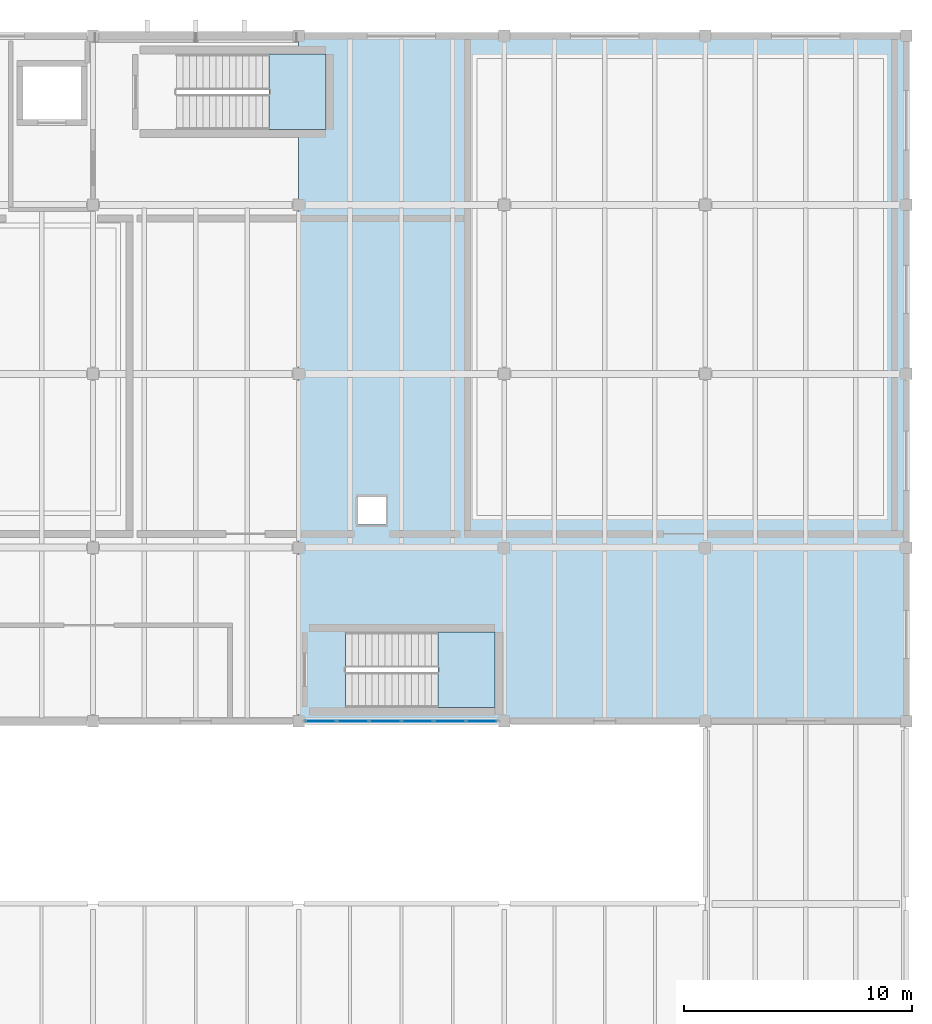
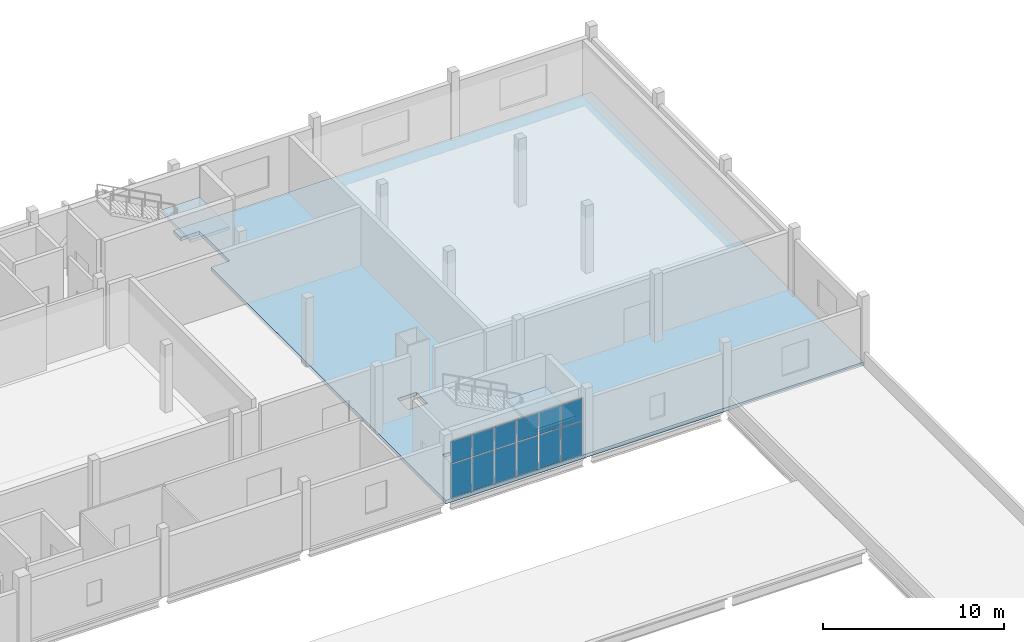
# One storey, part 54 of 74: 12 plates, 3 slabs, 3 elements without a shape of their own.
"""IFC4 building model written with IfcOpenShell, lengths in metres."""

from ifc_helpers import new_model, si_unit, direction, frame, origin, origin_2d, place, context, subcontext, project, spatial, polyline, rectangle, outline, extrude, material, layer, layer_set, type_object, element, aggregate, save


model = new_model("IFC4")

# Units and contexts
model_context = context("Model", 3, precision=1e-05, world=origin(), true_north=direction((0.0, 1.0)))
body_context = subcontext(model_context, "Body", "Model", "MODEL_VIEW")
ifc_project = project(units=[si_unit("LENGTHUNIT", "METRE"), si_unit("AREAUNIT", "SQUARE_METRE"), si_unit("VOLUMEUNIT", "CUBIC_METRE"), si_unit("PLANEANGLEUNIT", "RADIAN"), si_unit("MASSUNIT", "GRAM", prefix="KILO")], contexts=[model_context])

# Site, building, storey
site_placement = place(None, origin())
site = spatial("IfcSite", under=ifc_project, at=site_placement, CompositionType="ELEMENT")
building_placement = place(site_placement, origin())
building = spatial("IfcBuilding", under=site, at=building_placement, Name="Shengluoqiao Park Theatre", CompositionType="ELEMENT")
storey_placement = place(building_placement, frame((0.0, 0.0, 14.60009765625)))
storey = spatial("IfcBuildingStorey", under=building, at=storey_placement, Name="L03", CompositionType="ELEMENT", Elevation=14.60009765625)

# Curtain wall, plates
ifc_material_1 = material(Name="Aluminium 6063-T6", Category="aluminium")
curtain_wall_type = type_object("IfcCurtainWallType", Name="ENV-CW-CLERE", PredefinedType="NOTDEFINED", material=ifc_material_1)
curtain_wall_placement = place(storey_placement, origin())
curtain_wall = element("IfcCurtainWall", 1, at=curtain_wall_placement, inside=storey, type_object=curtain_wall_type, Name="L03 Curtain Wall CWX-L03-0200", PredefinedType="NOTDEFINED")
ifc_material_2 = material(Name="Insulated glass", Category="glass")
ifc_layer_1 = layer(ifc_material_2, 0.0380859375, Name="Insulated glass")
ifc_layer_set_1 = layer_set([ifc_layer_1], Name="Insulated glass")
plate_type = type_object("IfcPlateType", Name="ENV-GLZ-GL-38", PredefinedType="CURTAIN_PANEL", material=ifc_layer_set_1)
plate_1_placement = place(storey_placement, frame((140.376708984375, 84.0, 0.059814453125), z_axis=(0.0, 0.0, 1.0), x_axis=(1.0, 0.0, 0.0)))
plate_1 = element("IfcPlate", 2, at=plate_1_placement, type_object=plate_type, Name="CW-06 panel 1.1", PredefinedType="CURTAIN_PANEL", context=body_context, shape_type="SweptSolid", body=[
    extrude(rectangle(XDim=1.325439453125, YDim=0.0380859375, at=origin_2d()), origin(), (0.0, 0.0, 1.0), 2.2490234375),
])
plate_2_placement = place(storey_placement, frame((140.376708984375, 84.0, 2.369140625), z_axis=(0.0, 0.0, 1.0), x_axis=(1.0, 0.0, 0.0)))
plate_2 = element("IfcPlate", 3, at=plate_2_placement, type_object=plate_type, Name="CW-06 panel 1.2", PredefinedType="CURTAIN_PANEL", context=body_context, shape_type="SweptSolid", body=[
    extrude(rectangle(XDim=1.325439453125, YDim=0.0380859375, at=origin_2d()), origin(), (0.0, 0.0, 1.0), 1.468994140625),
])
plate_3_placement = place(storey_placement, frame((141.777099609375, 84.0, 0.059814453125), z_axis=(0.0, 0.0, 1.0), x_axis=(1.0, 0.0, 0.0)))
plate_3 = element("IfcPlate", 4, at=plate_3_placement, type_object=plate_type, Name="CW-06 panel 2.1", PredefinedType="CURTAIN_PANEL", context=body_context, shape_type="SweptSolid", body=[
    extrude(rectangle(XDim=1.355224609375, YDim=0.0380859375, at=origin_2d()), origin(), (0.0, 0.0, 1.0), 2.2490234375),
])
plate_4_placement = place(storey_placement, frame((141.777099609375, 84.0, 2.369140625), z_axis=(0.0, 0.0, 1.0), x_axis=(1.0, 0.0, 0.0)))
plate_4 = element("IfcPlate", 5, at=plate_4_placement, type_object=plate_type, Name="CW-06 panel 2.2", PredefinedType="CURTAIN_PANEL", context=body_context, shape_type="SweptSolid", body=[
    extrude(rectangle(XDim=1.355224609375, YDim=0.0380859375, at=origin_2d()), origin(), (0.0, 0.0, 1.0), 1.468994140625),
])
plate_5_placement = place(storey_placement, frame((143.1923828125, 84.0, 0.059814453125), z_axis=(0.0, 0.0, 1.0), x_axis=(1.0, 0.0, 0.0)))
plate_5 = element("IfcPlate", 6, at=plate_5_placement, type_object=plate_type, Name="CW-06 panel 3.1", PredefinedType="CURTAIN_PANEL", context=body_context, shape_type="SweptSolid", body=[
    extrude(rectangle(XDim=1.355224609375, YDim=0.0380859375, at=origin_2d()), origin(), (0.0, 0.0, 1.0), 2.2490234375),
])
plate_6_placement = place(storey_placement, frame((143.1923828125, 84.0, 2.369140625), z_axis=(0.0, 0.0, 1.0), x_axis=(1.0, 0.0, 0.0)))
plate_6 = element("IfcPlate", 7, at=plate_6_placement, type_object=plate_type, Name="CW-06 panel 3.2", PredefinedType="CURTAIN_PANEL", context=body_context, shape_type="SweptSolid", body=[
    extrude(rectangle(XDim=1.355224609375, YDim=0.0380859375, at=origin_2d()), origin(), (0.0, 0.0, 1.0), 1.468994140625),
])
plate_7_placement = place(storey_placement, frame((144.607666015625, 84.0, 0.059814453125), z_axis=(0.0, 0.0, 1.0), x_axis=(1.0, 0.0, 0.0)))
plate_7 = element("IfcPlate", 8, at=plate_7_placement, type_object=plate_type, Name="CW-06 panel 4.1", PredefinedType="CURTAIN_PANEL", context=body_context, shape_type="SweptSolid", body=[
    extrude(rectangle(XDim=1.355224609375, YDim=0.0380859375, at=origin_2d()), origin(), (0.0, 0.0, 1.0), 2.2490234375),
])
plate_8_placement = place(storey_placement, frame((144.607666015625, 84.0, 2.369140625), z_axis=(0.0, 0.0, 1.0), x_axis=(1.0, 0.0, 0.0)))
plate_8 = element("IfcPlate", 9, at=plate_8_placement, type_object=plate_type, Name="CW-06 panel 4.2", PredefinedType="CURTAIN_PANEL", context=body_context, shape_type="SweptSolid", body=[
    extrude(rectangle(XDim=1.355224609375, YDim=0.0380859375, at=origin_2d()), origin(), (0.0, 0.0, 1.0), 1.468994140625),
])
plate_9_placement = place(storey_placement, frame((146.02294921875, 84.0, 0.059814453125), z_axis=(0.0, 0.0, 1.0), x_axis=(1.0, 0.0, 0.0)))
plate_9 = element("IfcPlate", 10, at=plate_9_placement, type_object=plate_type, Name="CW-06 panel 5.1", PredefinedType="CURTAIN_PANEL", context=body_context, shape_type="SweptSolid", body=[
    extrude(rectangle(XDim=1.355224609375, YDim=0.0380859375, at=origin_2d()), origin(), (0.0, 0.0, 1.0), 2.2490234375),
])
plate_10_placement = place(storey_placement, frame((146.02294921875, 84.0, 2.369140625), z_axis=(0.0, 0.0, 1.0), x_axis=(1.0, 0.0, 0.0)))
plate_10 = element("IfcPlate", 11, at=plate_10_placement, type_object=plate_type, Name="CW-06 panel 5.2", PredefinedType="CURTAIN_PANEL", context=body_context, shape_type="SweptSolid", body=[
    extrude(rectangle(XDim=1.355224609375, YDim=0.0380859375, at=origin_2d()), origin(), (0.0, 0.0, 1.0), 1.468994140625),
])
plate_11_placement = place(storey_placement, frame((147.42333984375, 84.0, 0.059814453125), z_axis=(0.0, 0.0, 1.0), x_axis=(1.0, 0.0, 0.0)))
plate_11 = element("IfcPlate", 12, at=plate_11_placement, type_object=plate_type, Name="CW-06 panel 6.1", PredefinedType="CURTAIN_PANEL", context=body_context, shape_type="SweptSolid", body=[
    extrude(rectangle(XDim=1.325439453125, YDim=0.0380859375, at=origin_2d()), origin(), (0.0, 0.0, 1.0), 2.2490234375),
])
plate_12_placement = place(storey_placement, frame((147.42333984375, 84.0, 2.369140625), z_axis=(0.0, 0.0, 1.0), x_axis=(1.0, 0.0, 0.0)))
plate_12 = element("IfcPlate", 13, at=plate_12_placement, type_object=plate_type, Name="CW-06 panel 6.2", PredefinedType="CURTAIN_PANEL", context=body_context, shape_type="SweptSolid", body=[
    extrude(rectangle(XDim=1.325439453125, YDim=0.0380859375, at=origin_2d()), origin(), (0.0, 0.0, 1.0), 1.468994140625),
])
aggregate(curtain_wall, [plate_1, plate_2, plate_3, plate_4, plate_5, plate_6, plate_7, plate_8, plate_9, plate_10, plate_11, plate_12])

# Stair, slab
ifc_material_3 = material(Name="Concrete C40", Category="concrete")
stair_type = type_object("IfcStairType", Name="INT-STR-CORE", PredefinedType="HALF_TURN_STAIR", material=ifc_material_3)
stair_1_placement = place(storey_placement, origin())
stair_1 = element("IfcStair", 14, at=stair_1_placement, inside=storey, type_object=stair_type, Name="L03 Backstage and Workshop Escape Stair 06", PredefinedType="HALF_TURN_STAIR")
ifc_layer_2 = layer(ifc_material_3, 0.169921875, Name="Concrete C40")
ifc_layer_set_2 = layer_set([ifc_layer_2], Name="Concrete C40")
slab_type_1 = type_object("IfcSlabType", Name="INT-LND-SL-170", PredefinedType="LANDING", material=ifc_layer_set_2)
slab_1_placement = place(storey_placement, frame((0.0, 0.0, 2.099853515625)))
slab_1 = element("IfcSlab", 15, at=slab_1_placement, type_object=slab_type_1, Name="ST-06 landing 1", PredefinedType="LANDING", context=body_context, shape_type="SweptSolid", body=[
    extrude(outline(polyline([(138.110107421875, 109.89990234375), (140.60009765625, 109.89990234375), (140.60009765625, 113.199951171875), (138.110107421875, 113.199951171875), (138.110107421875, 109.89990234375)])), origin(), (0.0, 0.0, 1.0), 0.199951171875),
])
aggregate(stair_1, [slab_1])

stair_2_placement = place(storey_placement, origin())
stair_2 = element("IfcStair", 16, at=stair_2_placement, inside=storey, type_object=stair_type, Name="L03 Upper Backstage Escape Stair 10", PredefinedType="HALF_TURN_STAIR")
ifc_layer_3 = layer(ifc_material_3, 0.199951171875, Name="Concrete C40")
ifc_layer_set_3 = layer_set([ifc_layer_3], Name="Concrete C40")
slab_type_2 = type_object("IfcSlabType", Name="INT-LND-SL-200", PredefinedType="LANDING", material=ifc_layer_set_3)
slab_2_placement = place(storey_placement, frame((0.0, 0.0, 2.099853515625)))
slab_2 = element("IfcSlab", 17, at=slab_2_placement, type_object=slab_type_2, Name="ST-10 landing 1", PredefinedType="LANDING", context=body_context, shape_type="SweptSolid", body=[
    extrude(outline(polyline([(145.510009765625, 84.60009765625), (148.0, 84.60009765625), (148.0, 87.89990234375), (145.510009765625, 87.89990234375), (145.510009765625, 84.60009765625)])), origin(), (0.0, 0.0, 1.0), 0.199951171875),
])
aggregate(stair_2, [slab_2])

# Slab
ifc_material_4 = material(Name="Concrete C35", Category="concrete")
ifc_layer_4 = layer(ifc_material_4, 0.239990234375, Name="Concrete C35")
ifc_layer_set_4 = layer_set([ifc_layer_4], Name="Concrete C35")
slab_type_3 = type_object("IfcSlabType", Name="STR-SLB-FL240", PredefinedType="FLOOR", material=ifc_layer_set_4)
slab_3_placement = place(storey_placement, frame((0.0, 0.0, -0.239990234375)))
element("IfcSlab", 18, at=slab_3_placement, inside=storey, type_object=slab_type_3, Name="Floor Slab L03-V6-NE2", PredefinedType="FLOOR", context=body_context, shape_type="SweptSolid", body=[
    extrude(outline(polyline([(139.39990234375, 114.0), (166.0, 114.0), (166.0, 84.0), (139.39990234375, 84.0), (139.39990234375, 109.89990234375), (140.60009765625, 109.89990234375), (140.60009765625, 113.199951171875), (139.39990234375, 113.199951171875), (139.39990234375, 114.0)]), holes=[polyline([(141.4541015625, 84.60009765625), (148.0, 84.60009765625), (148.0, 87.89990234375), (141.4541015625, 87.89990234375), (141.4541015625, 84.60009765625)]), polyline([(143.219970703125, 92.60009765625), (143.219970703125, 93.820068359375), (142.0, 93.820068359375), (142.0, 92.60009765625), (143.219970703125, 92.60009765625)])]), origin(), (0.0, 0.0, 1.0), 0.239990234375),
])

save(model, "model.ifc")
